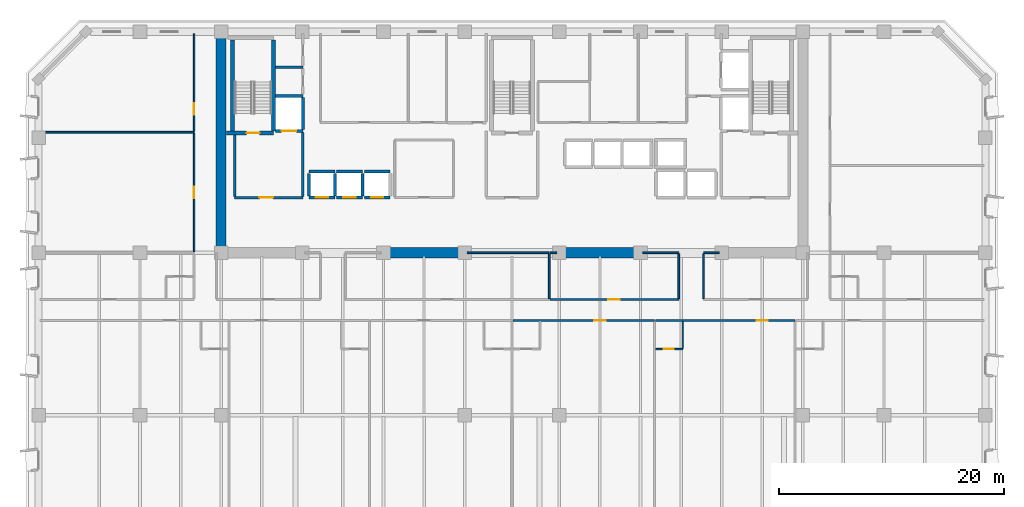
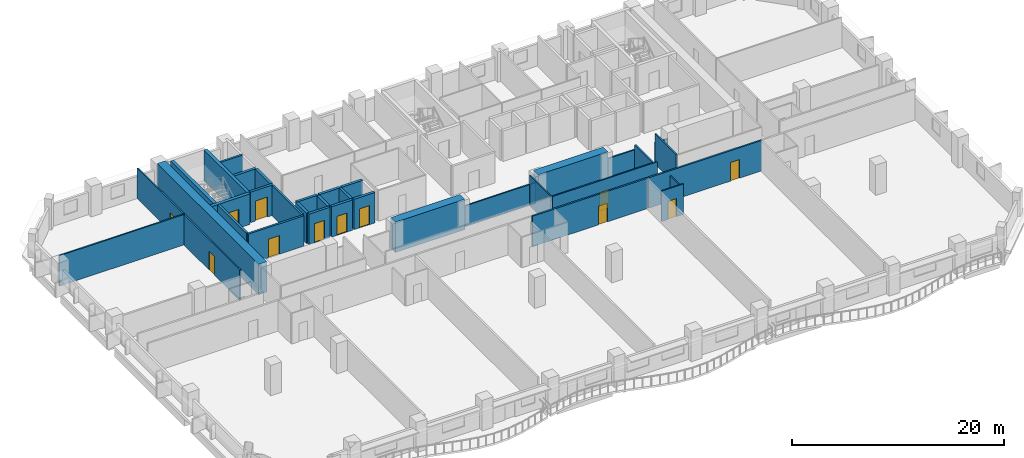
# One storey, part 6 of 15: 37 walls, 12 doors, 12 openings.
"""IFC4 building model written with IfcOpenShell, lengths in metres."""

from ifc_helpers import new_model, si_unit, direction, frame, frame_2d, origin, place, context, subcontext, project, spatial, rectangle, extrude, material, layer, layer_set, type_object, element, fill, save


model = new_model("IFC4")

# Units and contexts
model_context = context("Model", 3, precision=1e-05, world=origin(), true_north=direction((0.0, 1.0)))
body_context = subcontext(model_context, "Body", "Model", "MODEL_VIEW")
ifc_project = project(units=[si_unit("LENGTHUNIT", "METRE"), si_unit("AREAUNIT", "SQUARE_METRE"), si_unit("VOLUMEUNIT", "CUBIC_METRE"), si_unit("PLANEANGLEUNIT", "RADIAN"), si_unit("MASSUNIT", "GRAM", prefix="KILO")], contexts=[model_context])

# Site, building, storey
site_placement = place(None, origin())
site = spatial("IfcSite", under=ifc_project, at=site_placement, CompositionType="ELEMENT")
building_placement = place(site_placement, origin())
building = spatial("IfcBuilding", under=site, at=building_placement, Name="Kaelvorn Grand Hotel", CompositionType="ELEMENT")
storey_placement = place(building_placement, frame((0.0, 0.0, 115.550048828125)))
storey = spatial("IfcBuildingStorey", under=building, at=storey_placement, Name="L27", CompositionType="ELEMENT", Elevation=115.550048828125)

# Walls
ifc_material_1 = material(Name="Concrete C60/75", Category="concrete")
ifc_layer_1 = layer(ifc_material_1, 0.89990234375)
ifc_layer_set_1 = layer_set([ifc_layer_1], Name="Concrete C60/75")
wall_type_1 = type_object("IfcWallType", Name="WL-CORE-900-C60", PredefinedType="SHEAR", material=ifc_layer_set_1)
wall_1_placement = place(storey_placement, frame((16.199951171875, 29.39990234375, 0.0), z_axis=(0.0, 0.0, 1.0), x_axis=(0.0, 1.0, 0.0)))
element("IfcWall", 1, at=wall_1_placement, inside=storey, type_object=wall_type_1, Name="L27 Rear-Core West Shear Wall", PredefinedType="SHEAR", context=body_context, shape_type="SweptSolid", body=[
    extrude(rectangle(XDim=19.2001953125, YDim=0.89990234375, at=frame_2d((9.60009765625, 0.0))), origin(), (0.0, 0.0, 1.0), 3.510009765625),
])
for number, where, z_axis, x_axis, name in (
    (2, (30.39990234375, 29.39990234375, 0.0), (0.0, 0.0, 1.0), (1.0, 0.0, 0.0), "L27 Rear-Core Coupled Shear Pier S2"),
    (3, (46.0, 29.39990234375, 0.0), (0.0, 0.0, 1.0), (1.0, 0.0, 0.0), "L27 Rear-Core Coupled Shear Pier S3"),
):
    element("IfcWall", number, at=place(storey_placement, frame(where, z_axis=z_axis, x_axis=x_axis)), inside=storey, type_object=wall_type_1, Name=name, PredefinedType="SHEAR", context=body_context, shape_type="SweptSolid", body=[
        extrude(rectangle(XDim=7.60009765625, YDim=0.89990234375, at=frame_2d((3.800048828125, 0.0))), origin(), (0.0, 0.0, 1.0), 3.510009765625),
    ])

# Wall, opening, door
ifc_material_2 = material(Name="Moisture-Resistant Tile & Stud Board")
ifc_layer_2 = layer(ifc_material_2, 0.125)
ifc_layer_set_2 = layer_set([ifc_layer_2], Name="Moisture-Resistant Tile & Stud Board")
wall_type_2 = type_object("IfcWallType", Name="WL-PART-125-WET", PredefinedType="PARTITIONING", material=ifc_layer_set_2)
wall_2_placement = place(storey_placement, frame((54.74560546875, 20.85009765625, 0.0), z_axis=(0.0, 0.0, 1.0), x_axis=(1.0, 0.0, 0.0)))
wall_2 = element("IfcWall", 4, at=wall_2_placement, inside=storey, type_object=wall_type_2, Name="L27 En-suite Bathroom L27-05 S Partition", PredefinedType="PARTITIONING", context=body_context, shape_type="SweptSolid", body=[
    extrude(rectangle(XDim=2.40478515625, YDim=0.125, at=frame_2d((1.202392578125, 0.0))), origin(), (0.0, 0.0, 1.0), 3.510009765625),
])
opening_1_placement = place(wall_2_placement, frame((0.705078125, 0.0, 0.0)))
opening_1 = element("IfcOpeningElement", 5, at=opening_1_placement, cuts=wall_2, Name="Opening DI4", PredefinedType="OPENING", context=body_context, shape_type="SweptSolid", body=[
    extrude(rectangle(XDim=0.89990234375, YDim=2.10009765625, at=frame_2d((0.449951171875, 1.050048828125))), frame((0.0, 0.072509765625, 0.0), z_axis=(0.0, -1.0, 0.0), x_axis=(1.0, 0.0, 0.0)), (0.0, 0.0, 1.0), 0.14501953125),
])
ifc_material_3 = material(Name="Timber Veneer Leaf", Category="wood")
door_type_1 = type_object("IfcDoorType", Name="DR-INT-BATH-900x2100", OperationType="NOTDEFINED", PredefinedType="DOOR", material=ifc_material_3)
door_1_placement = place(opening_1_placement, origin())
door_1 = element("IfcDoor", 6, at=door_1_placement, inside=storey, type_object=door_type_1, Name="L27 En-suite Bathroom L27-05 Door", OperationType="SINGLE_SWING_LEFT", OverallHeight=2.10009765625, OverallWidth=0.89990234375, PredefinedType="DOOR", context=body_context, shape_type="SweptSolid", body=[
    extrude(rectangle(XDim=0.89990234375, YDim=2.10009765625, at=frame_2d((0.449951171875, 1.050048828125))), frame((0.0, 0.02490234375, 0.0), z_axis=(0.0, -1.0, 0.0), x_axis=(1.0, 0.0, 0.0)), (0.0, 0.0, 1.0), 0.050048828125),
])
fill(opening_1, door_1)

# Walls
wall_3_placement = place(storey_placement, frame((57.150390625, 20.91748046875, 0.0), z_axis=(0.0, 0.0, 1.0), x_axis=(0.0, 1.0, 0.0)))
element("IfcWall", 7, at=wall_3_placement, inside=storey, type_object=wall_type_2, Name="L27 En-suite Bathroom L27-05 E Partition", PredefinedType="PARTITIONING", context=body_context, shape_type="SweptSolid", body=[
    extrude(rectangle(XDim=2.387451171875, YDim=0.125, at=frame_2d((1.19384765625, 0.0))), origin(), (0.0, 0.0, 1.0), 2.976806640625),
])
ifc_material_4 = material(Name="Acoustic Gypsum & Stud Partition")
ifc_layer_3 = layer(ifc_material_4, 0.14990234375)
ifc_layer_set_3 = layer_set([ifc_layer_3], Name="Acoustic Gypsum & Stud Partition")
wall_type_3 = type_object("IfcWallType", Name="WL-PART-150-EI60", PredefinedType="PARTITIONING", material=ifc_layer_set_3)
wall_4_placement = place(storey_placement, frame((38.010009765625, 29.39990234375, 0.0), z_axis=(0.0, 0.0, 1.0), x_axis=(1.0, 0.0, 0.0)))
element("IfcWall", 8, at=wall_4_placement, inside=storey, type_object=wall_type_3, Name="L27 Catering Servery Kitchen N Partition (2)", PredefinedType="PARTITIONING", context=body_context, shape_type="SweptSolid", body=[
    extrude(rectangle(XDim=7.2900390625, YDim=0.14990234375, at=frame_2d((3.64501953125, 0.0))), origin(), (0.0, 0.0, 1.0), 2.409912109375),
])
wall_5_placement = place(storey_placement, frame((45.300048828125, 25.330078125, 0.0), z_axis=(0.0, 0.0, 1.0), x_axis=(0.0, 1.0, 0.0)))
element("IfcWall", 9, at=wall_5_placement, inside=storey, type_object=wall_type_3, Name="L27 Catering Servery Kitchen E Partition", PredefinedType="PARTITIONING", context=body_context, shape_type="SweptSolid", body=[
    extrude(rectangle(XDim=3.989990234375, YDim=0.14990234375, at=frame_2d((1.9951171875, 0.0))), origin(), (0.0, 0.0, 1.0), 3.510009765625),
])

# Wall, opening, door
wall_6_placement = place(storey_placement, frame((45.3798828125, 25.25, 0.0), z_axis=(0.0, 0.0, 1.0), x_axis=(1.0, 0.0, 0.0)))
wall_6 = element("IfcWall", 10, at=wall_6_placement, inside=storey, type_object=wall_type_3, Name="L27 Presidential Living Room S Partition", PredefinedType="PARTITIONING", context=body_context, shape_type="SweptSolid", body=[
    extrude(rectangle(XDim=11.420166015625, YDim=0.14990234375, at=frame_2d((5.7099609375, 0.0))), origin(), (0.0, 0.0, 1.0), 3.510009765625),
])
opening_2_placement = place(wall_6_placement, frame((5.169921875, 0.0, 0.0)))
opening_2 = element("IfcOpeningElement", 11, at=opening_2_placement, cuts=wall_6, Name="Opening DI3", PredefinedType="OPENING", context=body_context, shape_type="SweptSolid", body=[
    extrude(rectangle(XDim=1.0, YDim=2.14990234375, at=frame_2d((0.5, 1.074951171875))), frame((0.0, 0.0849609375, 0.0), z_axis=(0.0, -1.0, 0.0), x_axis=(1.0, 0.0, 0.0)), (0.0, 0.0, 1.0), 0.169921875),
])
ifc_material_5 = material(Name="Timber Veneer Fire Leaf", Category="wood")
door_type_2 = type_object("IfcDoorType", Name="DR-INT-GUEST-1000x2150", OperationType="NOTDEFINED", PredefinedType="DOOR", material=ifc_material_5)
door_2_placement = place(opening_2_placement, origin())
door_2 = element("IfcDoor", 12, at=door_2_placement, inside=storey, type_object=door_type_2, Name="L27 Presidential Living Room Door", OperationType="SINGLE_SWING_RIGHT", OverallHeight=2.14990234375, OverallWidth=1.0, PredefinedType="DOOR", context=body_context, shape_type="SweptSolid", body=[
    extrude(rectangle(XDim=1.0, YDim=2.14990234375, at=frame_2d((0.5, 1.074951171875))), frame((0.0, 0.02490234375, 0.0), z_axis=(0.0, -1.0, 0.0), x_axis=(1.0, 0.0, 0.0)), (0.0, 0.0, 1.0), 0.050048828125),
])
fill(opening_2, door_2)

# Walls
wall_7_placement = place(storey_placement, frame((45.3798828125, 29.39990234375, 0.0), z_axis=(0.0, 0.0, 1.0), x_axis=(1.0, 0.0, 0.0)))
element("IfcWall", 13, at=wall_7_placement, inside=storey, type_object=wall_type_3, Name="L27 Presidential Living Room N Partition (1)", PredefinedType="PARTITIONING", context=body_context, shape_type="SweptSolid", body=[
    extrude(rectangle(XDim=0.610107421875, YDim=0.14990234375, at=frame_2d((0.30517578125, 0.0))), origin(), (0.0, 0.0, 1.0), 2.409912109375),
])
wall_8_placement = place(storey_placement, frame((53.610107421875, 29.39990234375, 0.0), z_axis=(0.0, 0.0, 1.0), x_axis=(1.0, 0.0, 0.0)))
element("IfcWall", 14, at=wall_8_placement, inside=storey, type_object=wall_type_3, Name="L27 Presidential Living Room N Partition (2)", PredefinedType="PARTITIONING", context=body_context, shape_type="SweptSolid", body=[
    extrude(rectangle(XDim=3.18994140625, YDim=0.14990234375, at=frame_2d((1.594970703125, 0.0))), origin(), (0.0, 0.0, 1.0), 2.409912109375),
])
wall_9_placement = place(storey_placement, frame((56.800048828125, 25.330078125, 0.0), z_axis=(0.0, 0.0, 1.0), x_axis=(0.0, 1.0, 0.0)))
element("IfcWall", 15, at=wall_9_placement, inside=storey, type_object=wall_type_3, Name="L27 Presidential Living Room E Partition", PredefinedType="PARTITIONING", context=body_context, shape_type="SweptSolid", body=[
    extrude(rectangle(XDim=3.989990234375, YDim=0.14990234375, at=frame_2d((1.9951171875, 0.0))), origin(), (0.0, 0.0, 1.0), 2.976806640625),
])
wall_10_placement = place(storey_placement, frame((59.0, 29.39990234375, 0.0), z_axis=(0.0, 0.0, 1.0), x_axis=(1.0, 0.0, 0.0)))
element("IfcWall", 16, at=wall_10_placement, inside=storey, type_object=wall_type_3, Name="L27 Trade Advisory Office N Partition", PredefinedType="PARTITIONING", context=body_context, shape_type="SweptSolid", body=[
    extrude(rectangle(XDim=1.389892578125, YDim=0.14990234375, at=frame_2d((0.69482421875, 0.0))), origin(), (0.0, 0.0, 1.0), 2.409912109375),
])
wall_11_placement = place(storey_placement, frame((59.0, 25.330078125, 0.0), z_axis=(0.0, 0.0, 1.0), x_axis=(0.0, 1.0, 0.0)))
element("IfcWall", 17, at=wall_11_placement, inside=storey, type_object=wall_type_3, Name="L27 Trade Advisory Office W Partition", PredefinedType="PARTITIONING", context=body_context, shape_type="SweptSolid", body=[
    extrude(rectangle(XDim=3.989990234375, YDim=0.14990234375, at=frame_2d((1.9951171875, 0.0))), origin(), (0.0, 0.0, 1.0), 3.510009765625),
])
wall_12_placement = place(storey_placement, frame((0.14990234375, 40.10009765625, 0.0), z_axis=(0.0, 0.0, 1.0), x_axis=(1.0, 0.0, 0.0)))
element("IfcWall", 18, at=wall_12_placement, inside=storey, type_object=wall_type_3, Name="L27 North-West Botanical Conservatory Salon N Partition", PredefinedType="PARTITIONING", context=body_context, shape_type="SweptSolid", body=[
    extrude(rectangle(XDim=13.650146484375, YDim=0.14990234375, at=frame_2d((6.8251953125, 0.0))), origin(), (0.0, 0.0, 1.0), 3.510009765625),
])

# Wall, opening, door
wall_13_placement = place(storey_placement, frame((13.800048828125, 29.4951171875, 0.0), z_axis=(0.0, 0.0, 1.0), x_axis=(0.0, 1.0, 0.0)))
wall_13 = element("IfcWall", 19, at=wall_13_placement, inside=storey, type_object=wall_type_3, Name="L27 North-West Botanical Conservatory Salon E Partition", PredefinedType="PARTITIONING", context=body_context, shape_type="SweptSolid", body=[
    extrude(rectangle(XDim=10.52490234375, YDim=0.14990234375, at=frame_2d((5.262451171875, 0.0))), origin(), (0.0, 0.0, 1.0), 3.510009765625),
])
opening_3_placement = place(wall_13_placement, frame((4.7548828125, 0.0, 0.0)))
opening_3 = element("IfcOpeningElement", 20, at=opening_3_placement, cuts=wall_13, Name="Opening DI3", PredefinedType="OPENING", context=body_context, shape_type="SweptSolid", body=[
    extrude(rectangle(XDim=1.0, YDim=2.14990234375, at=frame_2d((0.5, 1.074951171875))), frame((0.0, 0.0849609375, 0.0), z_axis=(0.0, -1.0, 0.0), x_axis=(1.0, 0.0, 0.0)), (0.0, 0.0, 1.0), 0.169921875),
])
door_3_placement = place(opening_3_placement, origin())
door_3 = element("IfcDoor", 21, at=door_3_placement, inside=storey, type_object=door_type_2, Name="L27 North-West Botanical Conservatory Salon Door", OperationType="SINGLE_SWING_RIGHT", OverallHeight=2.14990234375, OverallWidth=1.0, PredefinedType="DOOR", context=body_context, shape_type="SweptSolid", body=[
    extrude(rectangle(XDim=1.0, YDim=2.14990234375, at=frame_2d((0.5, 1.074951171875))), frame((0.0, 0.02490234375, 0.0), z_axis=(0.0, -1.0, 0.0), x_axis=(1.0, 0.0, 0.0)), (0.0, 0.0, 1.0), 0.050048828125),
])
fill(opening_3, door_3)

wall_14_placement = place(storey_placement, frame((13.800048828125, 40.179931640625, 0.0), z_axis=(0.0, 0.0, 1.0), x_axis=(0.0, 1.0, 0.0)))
wall_14 = element("IfcWall", 22, at=wall_14_placement, inside=storey, type_object=wall_type_3, Name="L27 North-West Catering Servery Kitchen E Partition", PredefinedType="PARTITIONING", context=body_context, shape_type="SweptSolid", body=[
    extrude(rectangle(XDim=8.670166015625, YDim=0.14990234375, at=frame_2d((4.3349609375, 0.0))), origin(), (0.0, 0.0, 1.0), 3.510009765625),
])
opening_4_placement = place(wall_14_placement, frame((1.469970703125, 0.0, 0.0)))
opening_4 = element("IfcOpeningElement", 23, at=opening_4_placement, cuts=wall_14, Name="Opening DI3", PredefinedType="OPENING", context=body_context, shape_type="SweptSolid", body=[
    extrude(rectangle(XDim=1.0, YDim=2.14990234375, at=frame_2d((0.5, 1.074951171875))), frame((0.0, 0.0849609375, 0.0), z_axis=(0.0, -1.0, 0.0), x_axis=(1.0, 0.0, 0.0)), (0.0, 0.0, 1.0), 0.169921875),
])
door_4_placement = place(opening_4_placement, origin())
door_4 = element("IfcDoor", 24, at=door_4_placement, inside=storey, type_object=door_type_2, Name="L27 North-West Catering Servery Kitchen Door", OperationType="SINGLE_SWING_LEFT", OverallHeight=2.14990234375, OverallWidth=1.0, PredefinedType="DOOR", context=body_context, shape_type="SweptSolid", body=[
    extrude(rectangle(XDim=1.0, YDim=2.14990234375, at=frame_2d((0.5, 1.074951171875))), frame((0.0, 0.02490234375, 0.0), z_axis=(0.0, -1.0, 0.0), x_axis=(1.0, 0.0, 0.0)), (0.0, 0.0, 1.0), 0.050048828125),
])
fill(opening_4, door_4)

ifc_layer_4 = layer(ifc_material_4, 0.179931640625)
ifc_layer_set_4 = layer_set([ifc_layer_4], Name="Acoustic Gypsum & Stud Partition")
wall_type_4 = type_object("IfcWallType", Name="WL-PART-180-EI60", PredefinedType="PARTITIONING", material=ifc_layer_set_4)
wall_15_placement = place(storey_placement, frame((42.094970703125, 23.39990234375, 0.0), z_axis=(0.0, 0.0, 1.0), x_axis=(1.0, 0.0, 0.0)))
wall_15 = element("IfcWall", 25, at=wall_15_placement, inside=storey, type_object=wall_type_4, Name="L27 Presidential Sky Suite L27-04 N Partition", PredefinedType="PARTITIONING", context=body_context, shape_type="SweptSolid", body=[
    extrude(rectangle(XDim=12.555419921875, YDim=0.179931640625, at=frame_2d((6.27783203125, 0.0))), origin(), (0.0, 0.0, 1.0), 3.510009765625),
])
opening_5_placement = place(wall_15_placement, frame((7.205078125, 0.0, 0.0)))
opening_5 = element("IfcOpeningElement", 26, at=opening_5_placement, cuts=wall_15, Name="Opening DI3", PredefinedType="OPENING", context=body_context, shape_type="SweptSolid", body=[
    extrude(rectangle(XDim=1.0, YDim=2.14990234375, at=frame_2d((0.5, 1.074951171875))), frame((0.0, 0.10009765625, 0.0), z_axis=(0.0, -1.0, 0.0), x_axis=(1.0, 0.0, 0.0)), (0.0, 0.0, 1.0), 0.199951171875),
])
door_5_placement = place(opening_5_placement, origin())
door_5 = element("IfcDoor", 27, at=door_5_placement, inside=storey, type_object=door_type_2, Name="L27 Presidential Sky Suite L27-04 Door", OperationType="SINGLE_SWING_RIGHT", OverallHeight=2.14990234375, OverallWidth=1.0, PredefinedType="DOOR", context=body_context, shape_type="SweptSolid", body=[
    extrude(rectangle(XDim=1.0, YDim=2.14990234375, at=frame_2d((0.5, 1.074951171875))), frame((0.0, 0.02490234375, 0.0), z_axis=(0.0, -1.0, 0.0), x_axis=(1.0, 0.0, 0.0)), (0.0, 0.0, 1.0), 0.050048828125),
])
fill(opening_5, door_5)

wall_16_placement = place(storey_placement, frame((54.74560546875, 23.39990234375, 0.0), z_axis=(0.0, 0.0, 1.0), x_axis=(1.0, 0.0, 0.0)))
wall_16 = element("IfcWall", 28, at=wall_16_placement, inside=storey, type_object=wall_type_4, Name="L27 Presidential Sky Suite L27-05 N Partition", PredefinedType="PARTITIONING", context=body_context, shape_type="SweptSolid", body=[
    extrude(rectangle(XDim=12.354736328125, YDim=0.179931640625, at=frame_2d((6.17724609375, 0.0))), origin(), (0.0, 0.0, 1.0), 3.510009765625),
])
opening_6_placement = place(wall_16_placement, frame((8.95458984375, 0.0, 0.0)))
opening_6 = element("IfcOpeningElement", 29, at=opening_6_placement, cuts=wall_16, Name="Opening DI3", PredefinedType="OPENING", context=body_context, shape_type="SweptSolid", body=[
    extrude(rectangle(XDim=1.0, YDim=2.14990234375, at=frame_2d((0.5, 1.074951171875))), frame((0.0, 0.10009765625, 0.0), z_axis=(0.0, -1.0, 0.0), x_axis=(1.0, 0.0, 0.0)), (0.0, 0.0, 1.0), 0.199951171875),
])
door_6_placement = place(opening_6_placement, origin())
door_6 = element("IfcDoor", 30, at=door_6_placement, inside=storey, type_object=door_type_2, Name="L27 Presidential Sky Suite L27-05 Door", OperationType="SINGLE_SWING_RIGHT", OverallHeight=2.14990234375, OverallWidth=1.0, PredefinedType="DOOR", context=body_context, shape_type="SweptSolid", body=[
    extrude(rectangle(XDim=1.0, YDim=2.14990234375, at=frame_2d((0.5, 1.074951171875))), frame((0.0, 0.02490234375, 0.0), z_axis=(0.0, -1.0, 0.0), x_axis=(1.0, 0.0, 0.0)), (0.0, 0.0, 1.0), 0.050048828125),
])
fill(opening_6, door_6)

ifc_material_6 = material(Name="Concrete C40/50", Category="concrete")
ifc_layer_5 = layer(ifc_material_6, 0.219970703125)
ifc_layer_set_5 = layer_set([ifc_layer_5], Name="Concrete C40/50")
wall_type_5 = type_object("IfcWallType", Name="WL-PART-220-EI120", PredefinedType="PARTITIONING", material=ifc_layer_set_5)
wall_17_placement = place(storey_placement, frame((17.39990234375, 34.300048828125, 0.0), z_axis=(0.0, 0.0, 1.0), x_axis=(1.0, 0.0, 0.0)))
wall_17 = element("IfcWall", 31, at=wall_17_placement, inside=storey, type_object=wall_type_5, Name="L27 Firefighting Lift Lobby 1 S Partition", PredefinedType="PARTITIONING", context=body_context, shape_type="SweptSolid", body=[
    extrude(rectangle(XDim=6.050048828125, YDim=0.219970703125, at=frame_2d((3.02490234375, 0.0))), origin(), (0.0, 0.0, 1.0), 3.510009765625),
])
opening_7_placement = place(wall_17_placement, frame((2.199951171875, 0.0, 0.0)))
opening_7 = element("IfcOpeningElement", 32, at=opening_7_placement, cuts=wall_17, Name="Opening DI2", PredefinedType="OPENING", context=body_context, shape_type="SweptSolid", body=[
    extrude(rectangle(XDim=1.199951171875, YDim=2.14990234375, at=frame_2d((0.60009765625, 1.074951171875))), frame((0.0, 0.1201171875, 0.0), z_axis=(0.0, -1.0, 0.0), x_axis=(1.0, 0.0, 0.0)), (0.0, 0.0, 1.0), 0.239990234375),
])
door_type_3 = type_object("IfcDoorType", Name="DR-INT-FFLOB-1200x2150", OperationType="NOTDEFINED", PredefinedType="DOOR", material=ifc_material_5)
door_7_placement = place(opening_7_placement, origin())
door_7 = element("IfcDoor", 33, at=door_7_placement, inside=storey, type_object=door_type_3, Name="L27 Firefighting Lift Lobby 1 Door", OperationType="SINGLE_SWING_LEFT", OverallHeight=2.14990234375, OverallWidth=1.199951171875, PredefinedType="DOOR", context=body_context, shape_type="SweptSolid", body=[
    extrude(rectangle(XDim=1.199951171875, YDim=2.14990234375, at=frame_2d((0.60009765625, 1.074951171875))), frame((0.0, 0.02490234375, 0.0), z_axis=(0.0, -1.0, 0.0), x_axis=(1.0, 0.0, 0.0)), (0.0, 0.0, 1.0), 0.050048828125),
])
fill(opening_7, door_7)

# Walls
wall_18_placement = place(storey_placement, frame((17.39990234375, 34.4150390625, 0.0), z_axis=(0.0, 0.0, 1.0), x_axis=(0.0, 1.0, 0.0)))
element("IfcWall", 34, at=wall_18_placement, inside=storey, type_object=wall_type_5, Name="L27 Firefighting Lift Lobby 1 W Partition", PredefinedType="PARTITIONING", context=body_context, shape_type="SweptSolid", body=[
    extrude(rectangle(XDim=5.429931640625, YDim=0.219970703125, at=frame_2d((2.71484375, 0.0))), origin(), (0.0, 0.0, 1.0), 3.510009765625),
])
wall_19_placement = place(storey_placement, frame((23.449951171875, 34.4150390625, 0.0), z_axis=(0.0, 0.0, 1.0), x_axis=(0.0, 1.0, 0.0)))
element("IfcWall", 35, at=wall_19_placement, inside=storey, type_object=wall_type_5, Name="L27 Firefighting Lift Lobby 1 E Partition", PredefinedType="PARTITIONING", context=body_context, shape_type="SweptSolid", body=[
    extrude(rectangle(XDim=5.639892578125, YDim=0.219970703125, at=frame_2d((2.81982421875, 0.0))), origin(), (0.0, 0.0, 1.0), 3.510009765625),
])
wall_20_placement = place(storey_placement, frame((21.034912109375, 45.85009765625, 0.0), z_axis=(0.0, 0.0, 1.0), x_axis=(1.0, 0.0, 0.0)))
element("IfcWall", 36, at=wall_20_placement, inside=storey, type_object=wall_type_5, Name="L27 Wet Fire & Plumbing Riser Shaft N Partition", PredefinedType="PARTITIONING", context=body_context, shape_type="SweptSolid", body=[
    extrude(rectangle(XDim=2.4150390625, YDim=0.219970703125, at=frame_2d((1.20751953125, 0.0))), origin(), (0.0, 0.0, 1.0), 3.510009765625),
])

# Wall, opening, door
ifc_material_7 = material(Name="Concrete C50/60", Category="concrete")
ifc_layer_6 = layer(ifc_material_7, 0.280029296875)
ifc_layer_set_6 = layer_set([ifc_layer_6], Name="Concrete C50/60")
wall_type_6 = type_object("IfcWallType", Name="WL-SHAFT-280-C50", PredefinedType="SHEAR", material=ifc_layer_set_6)
wall_21_placement = place(storey_placement, frame((24.0, 34.300048828125, 0.0), z_axis=(0.0, 0.0, 1.0), x_axis=(1.0, 0.0, 0.0)))
wall_21 = element("IfcWall", 37, at=wall_21_placement, inside=storey, type_object=wall_type_6, Name="L27 Lift PL-L1 Shaft South Wall", PredefinedType="SHEAR", context=body_context, shape_type="SweptSolid", body=[
    extrude(rectangle(XDim=2.300048828125, YDim=0.280029296875, at=frame_2d((1.14990234375, 0.0))), origin(), (0.0, 0.0, 1.0), 3.510009765625),
])
opening_8_placement = place(wall_21_placement, frame((0.60009765625, 0.0, 0.0)))
opening_8 = element("IfcOpeningElement", 38, at=opening_8_placement, cuts=wall_21, Name="Opening LD-PL-L1", PredefinedType="OPENING", context=body_context, shape_type="SweptSolid", body=[
    extrude(rectangle(XDim=1.10009765625, YDim=2.199951171875, at=frame_2d((0.550048828125, 1.10009765625))), frame((0.0, 0.14990234375, 0.0), z_axis=(0.0, -1.0, 0.0), x_axis=(1.0, 0.0, 0.0)), (0.0, 0.0, 1.0), 0.300048828125),
])
ifc_material_8 = material(Name="Stainless Steel", Category="steel")
door_type_4 = type_object("IfcDoorType", Name="DR-LIFT-PASS-1100x2200", OperationType="DOUBLE_DOOR_SLIDING", PredefinedType="DOOR", material=ifc_material_8)
door_8_placement = place(opening_8_placement, origin())
door_8 = element("IfcDoor", 39, at=door_8_placement, inside=storey, type_object=door_type_4, Name="L27 Lift PL-L1 Sliding Landing Door LD-PL-L1", OperationType="DOUBLE_DOOR_SLIDING", OverallHeight=2.199951171875, OverallWidth=1.10009765625, PredefinedType="DOOR", context=body_context, shape_type="SweptSolid", body=[
    extrude(rectangle(XDim=1.10009765625, YDim=2.199951171875, at=frame_2d((0.550048828125, 1.10009765625))), frame((0.0, 0.02490234375, 0.0), z_axis=(0.0, -1.0, 0.0), x_axis=(1.0, 0.0, 0.0)), (0.0, 0.0, 1.0), 0.050048828125),
])
fill(opening_8, door_8)

# Walls
wall_22_placement = place(storey_placement, frame((24.0, 36.60009765625, 0.0), z_axis=(0.0, 0.0, 1.0), x_axis=(1.0, 0.0, 0.0)))
element("IfcWall", 40, at=wall_22_placement, inside=storey, type_object=wall_type_6, Name="L27 Lift PL-L1 Shaft North Wall", PredefinedType="SHEAR", context=body_context, shape_type="SweptSolid", body=[
    extrude(rectangle(XDim=2.300048828125, YDim=0.280029296875, at=frame_2d((1.14990234375, 0.0))), origin(), (0.0, 0.0, 1.0), 3.510009765625),
])
for number, where, z_axis, x_axis, name in (
    (41, (24.0, 34.445068359375, 0.0), (0.0, 0.0, 1.0), (0.0, 1.0, 0.0), "L27 Lift PL-L1 Shaft West Wall"),
    (42, (26.300048828125, 34.445068359375, 0.0), (0.0, 0.0, 1.0), (0.0, 1.0, 0.0), "L27 Lift PL-L1 Shaft East Wall"),
):
    element("IfcWall", number, at=place(storey_placement, frame(where, z_axis=z_axis, x_axis=x_axis)), inside=storey, type_object=wall_type_6, Name=name, PredefinedType="SHEAR", context=body_context, shape_type="SweptSolid", body=[
        extrude(rectangle(XDim=2.010009765625, YDim=0.280029296875, at=frame_2d((1.0048828125, 0.0))), origin(), (0.0, 0.0, 1.0), 3.510009765625),
    ])

# Wall, opening, door
wall_23_placement = place(storey_placement, frame((26.449951171875, 34.300048828125, 0.0), z_axis=(0.0, 0.0, 1.0), x_axis=(1.0, 0.0, 0.0)))
wall_23 = element("IfcWall", 43, at=wall_23_placement, inside=storey, type_object=wall_type_6, Name="L27 Lift PL-L2 Shaft South Wall", PredefinedType="SHEAR", context=body_context, shape_type="SweptSolid", body=[
    extrude(rectangle(XDim=2.300048828125, YDim=0.280029296875, at=frame_2d((1.14990234375, 0.0))), origin(), (0.0, 0.0, 1.0), 3.510009765625),
])
opening_9_placement = place(wall_23_placement, frame((0.60009765625, 0.0, 0.0)))
opening_9 = element("IfcOpeningElement", 44, at=opening_9_placement, cuts=wall_23, Name="Opening LD-PL-L2", PredefinedType="OPENING", context=body_context, shape_type="SweptSolid", body=[
    extrude(rectangle(XDim=1.10009765625, YDim=2.199951171875, at=frame_2d((0.550048828125, 1.10009765625))), frame((0.0, 0.14990234375, 0.0), z_axis=(0.0, -1.0, 0.0), x_axis=(1.0, 0.0, 0.0)), (0.0, 0.0, 1.0), 0.300048828125),
])
door_9_placement = place(opening_9_placement, origin())
door_9 = element("IfcDoor", 45, at=door_9_placement, inside=storey, type_object=door_type_4, Name="L27 Lift PL-L2 Sliding Landing Door LD-PL-L2", OperationType="DOUBLE_DOOR_SLIDING", OverallHeight=2.199951171875, OverallWidth=1.10009765625, PredefinedType="DOOR", context=body_context, shape_type="SweptSolid", body=[
    extrude(rectangle(XDim=1.10009765625, YDim=2.199951171875, at=frame_2d((0.550048828125, 1.10009765625))), frame((0.0, 0.02490234375, 0.0), z_axis=(0.0, -1.0, 0.0), x_axis=(1.0, 0.0, 0.0)), (0.0, 0.0, 1.0), 0.050048828125),
])
fill(opening_9, door_9)

# Walls
wall_24_placement = place(storey_placement, frame((26.449951171875, 36.60009765625, 0.0), z_axis=(0.0, 0.0, 1.0), x_axis=(1.0, 0.0, 0.0)))
element("IfcWall", 46, at=wall_24_placement, inside=storey, type_object=wall_type_6, Name="L27 Lift PL-L2 Shaft North Wall", PredefinedType="SHEAR", context=body_context, shape_type="SweptSolid", body=[
    extrude(rectangle(XDim=2.300048828125, YDim=0.280029296875, at=frame_2d((1.14990234375, 0.0))), origin(), (0.0, 0.0, 1.0), 3.510009765625),
])
wall_25_placement = place(storey_placement, frame((28.75, 34.445068359375, 0.0), z_axis=(0.0, 0.0, 1.0), x_axis=(0.0, 1.0, 0.0)))
element("IfcWall", 47, at=wall_25_placement, inside=storey, type_object=wall_type_6, Name="L27 Lift PL-L2 Shaft East Wall", PredefinedType="SHEAR", context=body_context, shape_type="SweptSolid", body=[
    extrude(rectangle(XDim=2.010009765625, YDim=0.280029296875, at=frame_2d((1.0048828125, 0.0))), origin(), (0.0, 0.0, 1.0), 3.510009765625),
])

# Wall, opening, door
wall_26_placement = place(storey_placement, frame((28.89990234375, 34.300048828125, 0.0), z_axis=(0.0, 0.0, 1.0), x_axis=(1.0, 0.0, 0.0)))
wall_26 = element("IfcWall", 48, at=wall_26_placement, inside=storey, type_object=wall_type_6, Name="L27 Lift PL-L3 Shaft South Wall", PredefinedType="SHEAR", context=body_context, shape_type="SweptSolid", body=[
    extrude(rectangle(XDim=2.300048828125, YDim=0.280029296875, at=frame_2d((1.14990234375, 0.0))), origin(), (0.0, 0.0, 1.0), 3.510009765625),
])
opening_10_placement = place(wall_26_placement, frame((0.60009765625, 0.0, 0.0)))
opening_10 = element("IfcOpeningElement", 49, at=opening_10_placement, cuts=wall_26, Name="Opening LD-PL-L3", PredefinedType="OPENING", context=body_context, shape_type="SweptSolid", body=[
    extrude(rectangle(XDim=1.10009765625, YDim=2.199951171875, at=frame_2d((0.550048828125, 1.10009765625))), frame((0.0, 0.14990234375, 0.0), z_axis=(0.0, -1.0, 0.0), x_axis=(1.0, 0.0, 0.0)), (0.0, 0.0, 1.0), 0.300048828125),
])
door_10_placement = place(opening_10_placement, origin())
door_10 = element("IfcDoor", 50, at=door_10_placement, inside=storey, type_object=door_type_4, Name="L27 Lift PL-L3 Sliding Landing Door LD-PL-L3", OperationType="DOUBLE_DOOR_SLIDING", OverallHeight=2.199951171875, OverallWidth=1.10009765625, PredefinedType="DOOR", context=body_context, shape_type="SweptSolid", body=[
    extrude(rectangle(XDim=1.10009765625, YDim=2.199951171875, at=frame_2d((0.550048828125, 1.10009765625))), frame((0.0, 0.02490234375, 0.0), z_axis=(0.0, -1.0, 0.0), x_axis=(1.0, 0.0, 0.0)), (0.0, 0.0, 1.0), 0.050048828125),
])
fill(opening_10, door_10)

# Wall
wall_27_placement = place(storey_placement, frame((28.89990234375, 36.60009765625, 0.0), z_axis=(0.0, 0.0, 1.0), x_axis=(1.0, 0.0, 0.0)))
element("IfcWall", 51, at=wall_27_placement, inside=storey, type_object=wall_type_6, Name="L27 Lift PL-L3 Shaft North Wall", PredefinedType="SHEAR", context=body_context, shape_type="SweptSolid", body=[
    extrude(rectangle(XDim=2.300048828125, YDim=0.280029296875, at=frame_2d((1.14990234375, 0.0))), origin(), (0.0, 0.0, 1.0), 3.510009765625),
])

# Wall, opening, door
wall_28_placement = place(storey_placement, frame((21.034912109375, 40.199951171875, 0.0), z_axis=(0.0, 0.0, 1.0), x_axis=(1.0, 0.0, 0.0)))
wall_28 = element("IfcWall", 52, at=wall_28_placement, inside=storey, type_object=wall_type_6, Name="L27 Lift FFL1 Shaft South Wall", PredefinedType="SHEAR", context=body_context, shape_type="SweptSolid", body=[
    extrude(rectangle(XDim=2.4150390625, YDim=0.280029296875, at=frame_2d((1.20751953125, 0.0))), origin(), (0.0, 0.0, 1.0), 3.510009765625),
])
opening_11_placement = place(wall_28_placement, frame((0.5400390625, 0.0, 0.0)))
opening_11 = element("IfcOpeningElement", 53, at=opening_11_placement, cuts=wall_28, Name="Opening LD-FFL1", PredefinedType="OPENING", context=body_context, shape_type="SweptSolid", body=[
    extrude(rectangle(XDim=1.300048828125, YDim=2.300048828125, at=frame_2d((0.64990234375, 1.14990234375))), frame((0.0, 0.14990234375, 0.0), z_axis=(0.0, -1.0, 0.0), x_axis=(1.0, 0.0, 0.0)), (0.0, 0.0, 1.0), 0.300048828125),
])
door_type_5 = type_object("IfcDoorType", Name="DR-LIFT-SERV-1300x2300", OperationType="DOUBLE_DOOR_SLIDING", PredefinedType="DOOR", material=ifc_material_8)
door_11_placement = place(opening_11_placement, origin())
door_11 = element("IfcDoor", 54, at=door_11_placement, inside=storey, type_object=door_type_5, Name="L27 Lift FFL1 Sliding Landing Door LD-FFL1", OperationType="DOUBLE_DOOR_SLIDING", OverallHeight=2.300048828125, OverallWidth=1.300048828125, PredefinedType="DOOR", context=body_context, shape_type="SweptSolid", body=[
    extrude(rectangle(XDim=1.300048828125, YDim=2.300048828125, at=frame_2d((0.64990234375, 1.14990234375))), frame((0.0, 0.02490234375, 0.0), z_axis=(0.0, -1.0, 0.0), x_axis=(1.0, 0.0, 0.0)), (0.0, 0.0, 1.0), 0.050048828125),
])
fill(opening_11, door_11)

# Walls
wall_29_placement = place(storey_placement, frame((21.034912109375, 43.300048828125, 0.0), z_axis=(0.0, 0.0, 1.0), x_axis=(1.0, 0.0, 0.0)))
element("IfcWall", 55, at=wall_29_placement, inside=storey, type_object=wall_type_6, Name="L27 Lift FFL1 Shaft North Wall", PredefinedType="SHEAR", context=body_context, shape_type="SweptSolid", body=[
    extrude(rectangle(XDim=2.4150390625, YDim=0.280029296875, at=frame_2d((1.20751953125, 0.0))), origin(), (0.0, 0.0, 1.0), 3.510009765625),
])
wall_30_placement = place(storey_placement, frame((23.449951171875, 40.344970703125, 0.0), z_axis=(0.0, 0.0, 1.0), x_axis=(0.0, 1.0, 0.0)))
element("IfcWall", 56, at=wall_30_placement, inside=storey, type_object=wall_type_6, Name="L27 Lift FFL1 Shaft East Wall", PredefinedType="SHEAR", context=body_context, shape_type="SweptSolid", body=[
    extrude(rectangle(XDim=2.81005859375, YDim=0.280029296875, at=frame_2d((1.405029296875, 0.0))), origin(), (0.0, 0.0, 1.0), 3.510009765625),
])

# Wall, opening, door
ifc_layer_7 = layer(ifc_material_1, 0.35009765625)
ifc_layer_set_7 = layer_set([ifc_layer_7], Name="Concrete C60/75")
wall_type_7 = type_object("IfcWallType", Name="WL-SHAFT-350-C60", PredefinedType="SHEAR", material=ifc_layer_set_7)
wall_31_placement = place(storey_placement, frame((16.655029296875, 40.02490234375, 0.0), z_axis=(0.0, 0.0, 1.0), x_axis=(1.0, 0.0, 0.0)))
wall_31 = element("IfcWall", 57, at=wall_31_placement, inside=storey, type_object=wall_type_7, Name="L27 ST1 Stair Shaft South Wall", PredefinedType="SHEAR", context=body_context, shape_type="SweptSolid", body=[
    extrude(rectangle(XDim=4.199951171875, YDim=0.35009765625, at=frame_2d((2.10009765625, 0.0))), origin(), (0.0, 0.0, 1.0), 3.510009765625),
])
opening_12_placement = place(wall_31_placement, frame((1.81005859375, 0.0, 0.0)))
opening_12 = element("IfcOpeningElement", 58, at=opening_12_placement, cuts=wall_31, Name="Opening DI1", PredefinedType="OPENING", context=body_context, shape_type="SweptSolid", body=[
    extrude(rectangle(XDim=1.14990234375, YDim=2.14990234375, at=frame_2d((0.574951171875, 1.074951171875))), frame((0.0, 0.18505859375, 0.0), z_axis=(0.0, -1.0, 0.0), x_axis=(1.0, 0.0, 0.0)), (0.0, 0.0, 1.0), 0.3701171875),
])
door_type_6 = type_object("IfcDoorType", Name="DR-INT-STAIR-1150x2150", OperationType="NOTDEFINED", PredefinedType="DOOR", material=ifc_material_5)
door_12_placement = place(opening_12_placement, origin())
door_12 = element("IfcDoor", 59, at=door_12_placement, inside=storey, type_object=door_type_6, Name="L27 ST1 Exit Stair Fire Door", OperationType="SINGLE_SWING_RIGHT", OverallHeight=2.14990234375, OverallWidth=1.14990234375, PredefinedType="DOOR", context=body_context, shape_type="SweptSolid", body=[
    extrude(rectangle(XDim=1.14990234375, YDim=2.14990234375, at=frame_2d((0.574951171875, 1.074951171875))), frame((0.0, 0.02490234375, 0.0), z_axis=(0.0, -1.0, 0.0), x_axis=(1.0, 0.0, 0.0)), (0.0, 0.0, 1.0), 0.050048828125),
])
fill(opening_12, door_12)

# Walls
for number, where, z_axis, x_axis, name in (
    (60, (17.22509765625, 40.205078125, 0.0), (0.0, 0.0, 1.0), (0.0, 1.0, 0.0), "L27 ST1 Stair Shaft West Wall"),
    (61, (20.85498046875, 40.205078125, 0.0), (0.0, 0.0, 1.0), (0.0, 1.0, 0.0), "L27 ST1 Stair Shaft East Wall"),
):
    element("IfcWall", number, at=place(storey_placement, frame(where, z_axis=z_axis, x_axis=x_axis)), inside=storey, type_object=wall_type_7, Name=name, PredefinedType="SHEAR", context=body_context, shape_type="SweptSolid", body=[
        extrude(rectangle(XDim=8.08984375, YDim=0.35009765625, at=frame_2d((4.044921875, 0.0))), origin(), (0.0, 0.0, 1.0), 3.510009765625),
    ])

save(model, "model.ifc")
